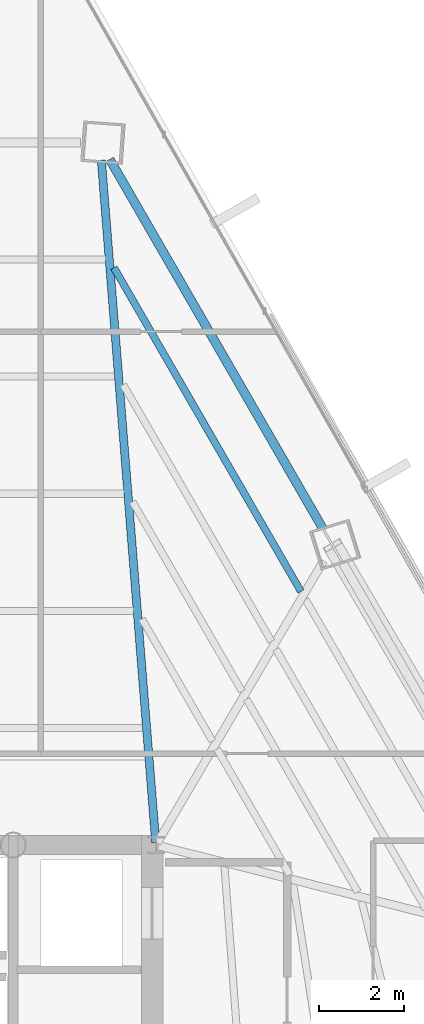
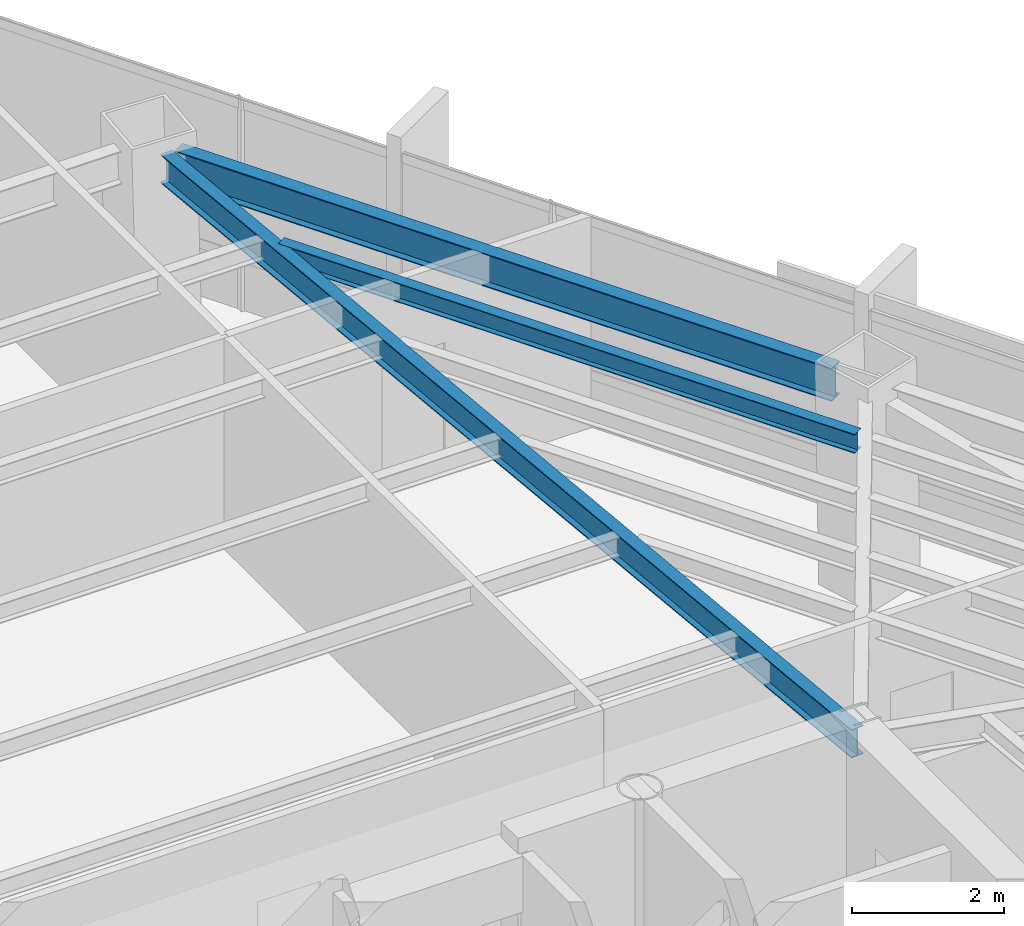
# One storey, part 30 of 38: 3 beams.
"""IFC4 building model written with IfcOpenShell, lengths in metres."""

from ifc_helpers import new_model, si_unit, direction, frame, origin, origin_2d, place, context, subcontext, project, spatial, i_section, extrude, source, transform, mapped, material, material_profile, profile_set, type_object, type_shapes, element, save


model = new_model("IFC4")

# Units and contexts
model_context = context("Model", 3, precision=1e-05, world=origin(), true_north=direction((0.0, 1.0)))
body_context = subcontext(model_context, "Body", "Model", "MODEL_VIEW")
ifc_project = project(units=[si_unit("LENGTHUNIT", "METRE"), si_unit("AREAUNIT", "SQUARE_METRE"), si_unit("VOLUMEUNIT", "CUBIC_METRE"), si_unit("PLANEANGLEUNIT", "RADIAN"), si_unit("MASSUNIT", "GRAM", prefix="KILO")], contexts=[model_context])

# Site, building, storey
site_placement = place(None, origin())
site = spatial("IfcSite", under=ifc_project, at=site_placement, CompositionType="ELEMENT")
building_placement = place(site_placement, origin())
building = spatial("IfcBuilding", under=site, at=building_placement, Name="Caelisora Broadcast Tower", CompositionType="ELEMENT")
storey_placement = place(building_placement, frame((0.0, 0.0, 154.85009765625)))
storey = spatial("IfcBuildingStorey", under=building, at=storey_placement, Name="L40", CompositionType="ELEMENT", Elevation=154.85009765625)

# Beams
ifc_material = material(Name="Steel Grade 350 (AS/NZS 3679.1)", Category="steel")
ifc_material_profile_1 = material_profile(ifc_material, i_section(OverallWidth=0.208984375, OverallDepth=0.532958984375, WebThickness=0.01025390625, FlangeThickness=0.015625, at=origin_2d()), Name="Steel Grade 350 (AS/NZS 3679.1)")
ifc_profile_set_1 = profile_set([ifc_material_profile_1], Name="Steel Grade 350 (AS/NZS 3679.1)")
beam_type_1 = type_object("IfcBeamType", Name="PG05", PredefinedType="BEAM", material=ifc_profile_set_1)
shared_shape_1 = source(origin(), body_context, "Body", "SweptSolid", [
    extrude(i_section(OverallWidth=0.208984375, OverallDepth=0.532958984375, WebThickness=0.01025390625, FlangeThickness=0.015625, at=origin_2d()), origin(), (0.0, 0.0, 1.0), 10.01025390625),
])
type_shapes(beam_type_1, [shared_shape_1])
beam_1_placement = place(storey_placement, frame((49.419677734375, 37.434814453125, 3.13330078125), z_axis=(-0.499997609114, 0.866026784159, 0.0), x_axis=(-0.866026784159, -0.499997609114, 0.0)))
element("IfcBeam", 1, at=beam_1_placement, inside=storey, type_object=beam_type_1, Name="L40 beam PG05", PredefinedType="BEAM", context=body_context, shape_type="MappedRepresentation", body=[
    mapped(shared_shape_1, transform((0.0, 0.0, 0.0), scale=1.0)),
])
ifc_material_profile_2 = material_profile(ifc_material, i_section(OverallWidth=0.19091796875, OverallDepth=0.46044921875, WebThickness=0.010009765625, FlangeThickness=0.01611328125, at=origin_2d()), Name="Steel Grade 350 (AS/NZS 3679.1)")
ifc_profile_set_2 = profile_set([ifc_material_profile_2], Name="Steel Grade 350 (AS/NZS 3679.1)")
beam_type_2 = type_object("IfcBeamType", Name="PG06", PredefinedType="BEAM", material=ifc_profile_set_2)
shared_shape_2 = source(origin(), body_context, "Body", "SweptSolid", [
    extrude(i_section(OverallWidth=0.19091796875, OverallDepth=0.46044921875, WebThickness=0.010009765625, FlangeThickness=0.01611328125, at=origin_2d()), origin(), (0.0, 0.0, 1.0), 16.07470703125),
])
type_shapes(beam_type_2, [shared_shape_2])
beam_2_placement = place(storey_placement, frame((45.4951171875, 30.059814453125, 3.169677734375), z_axis=(-0.079447619056, 0.996839042086, 0.0), x_axis=(-0.996839042086, -0.079447619056, 0.0)))
element("IfcBeam", 2, at=beam_2_placement, inside=storey, type_object=beam_type_2, Name="L40 beam PG06", PredefinedType="BEAM", context=body_context, shape_type="MappedRepresentation", body=[
    mapped(shared_shape_2, transform((0.0, 0.0, 0.0), scale=1.0)),
])
ifc_material_profile_3 = material_profile(ifc_material, i_section(OverallWidth=0.166015625, OverallDepth=0.30712890625, WebThickness=0.006591796875, FlangeThickness=0.01171875, at=origin_2d()), Name="Steel Grade 350 (AS/NZS 3679.1)")
ifc_profile_set_3 = profile_set([ifc_material_profile_3], Name="Steel Grade 350 (AS/NZS 3679.1)")
beam_type_3 = type_object("IfcBeamType", Name="SB03", PredefinedType="JOIST", material=ifc_profile_set_3)
shared_shape_3 = source(origin(), body_context, "Body", "SweptSolid", [
    extrude(i_section(OverallWidth=0.166015625, OverallDepth=0.30712890625, WebThickness=0.006591796875, FlangeThickness=0.01171875, at=origin_2d()), origin(), (0.0, 0.0, 1.0), 8.782470703125),
])
type_shapes(beam_type_3, [shared_shape_3])
beam_3_placement = place(storey_placement, frame((48.90478515625, 35.956298828125, 3.246337890625), z_axis=(-0.500016826456, 0.866015688808, 0.0), x_axis=(-0.866015688808, -0.500016826456, 0.0)))
element("IfcBeam", 3, at=beam_3_placement, inside=storey, type_object=beam_type_3, Name="L40 beam SB03", PredefinedType="JOIST", context=body_context, shape_type="MappedRepresentation", body=[
    mapped(shared_shape_3, transform((0.0, 0.0, 0.0), scale=1.0)),
])

save(model, "model.ifc")
